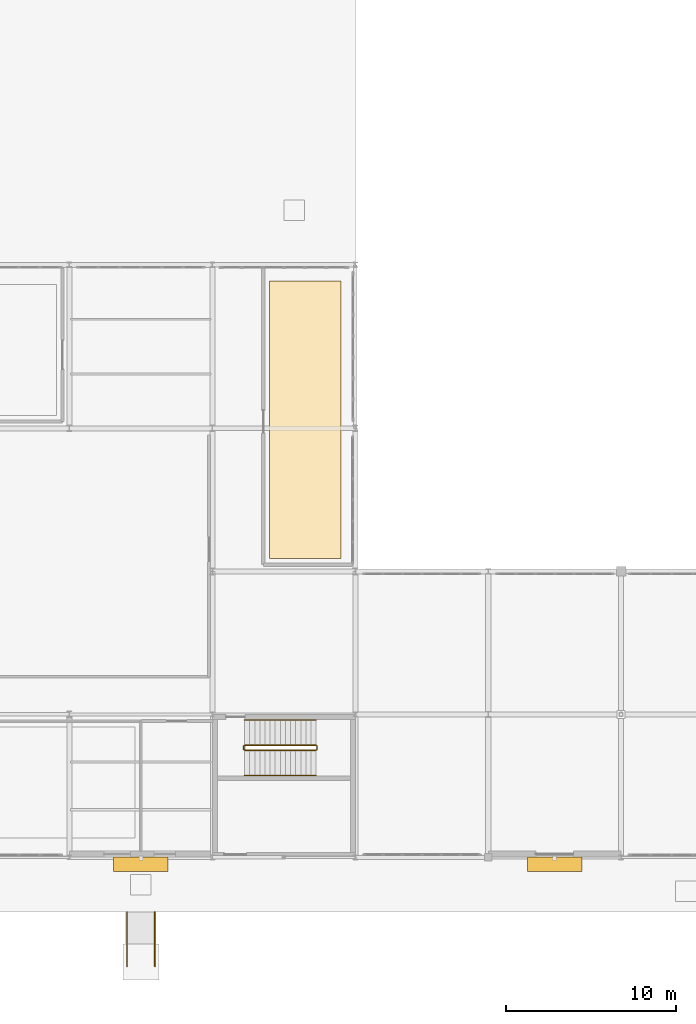
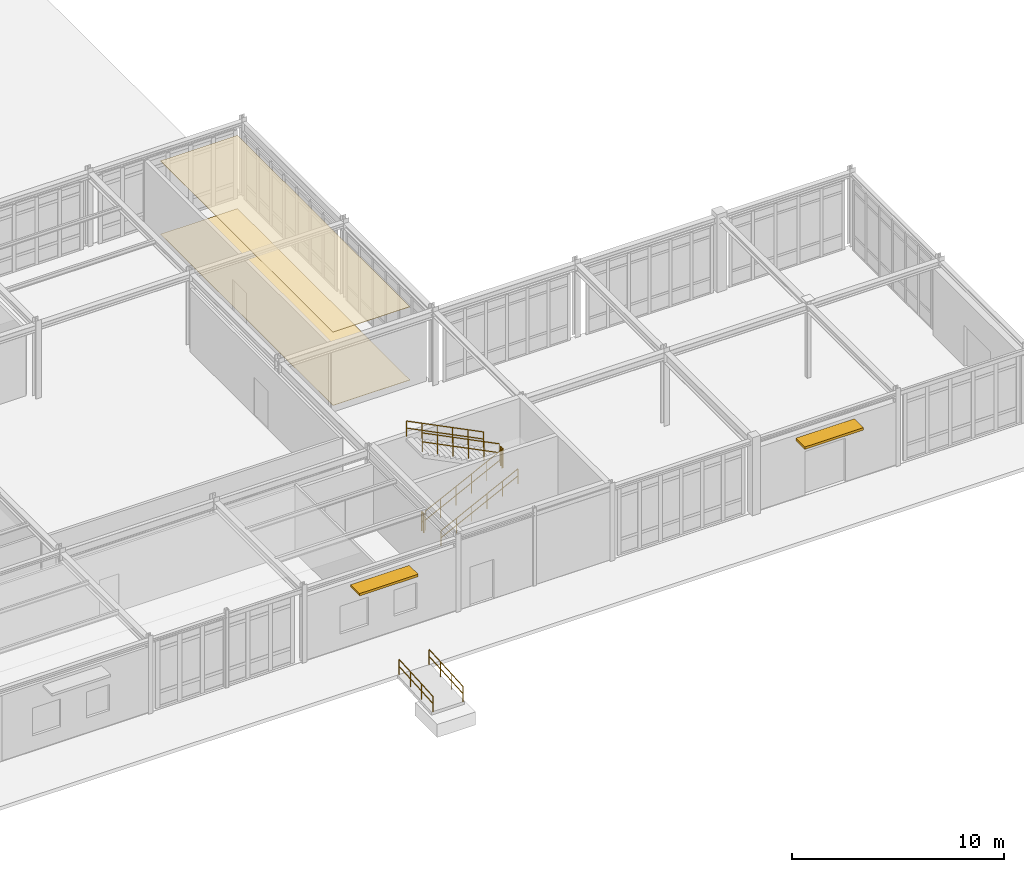
# One storey, part 99 of 101: 8 railings, 2 coverings, 2 shading devices.
"""IFC4 building model written with IfcOpenShell, lengths in metres."""

import ifcopenshell
import ifcopenshell.guid

model = None  # the IFC model being written
_history = None  # IfcOwnerHistory: only IFC2X3 demands one
_inside = {}  # id of a spatial element -> (the spatial element, [elements in it])
_under = {}  # id of a project, library or spatial element -> (it, [spatial elements below it])
_declared = {}  # id of a project -> (the project, [libraries it declares])
_typed = {}  # id of a type object -> (the type object, [elements of that type])
_made_of = {}  # id of a material, layer set ... -> (it, [elements and type objects made of it])


def new_model(schema):
    """Start an empty IFC model of exactly this schema.

    Asked for "IFC4X3", IfcOpenShell would pick the latest addendum, in which some entities
    have other attributes; the version numbers below select the first issue.
    IFC2X3 requires an IfcOwnerHistory on every rooted entity: one is made here for all.
    """
    global model, _history
    if schema == "IFC4X3":
        model = ifcopenshell.file(schema_version=(4, 3, 0, 0))
    else:
        model = ifcopenshell.file(schema=schema)
    _inside.clear()
    _under.clear()
    _declared.clear()
    _typed.clear()
    _made_of.clear()
    _history = None
    if model.schema == "IFC2X3":
        org = make("IfcOrganization", Name="unknown")
        user = make(
            "IfcPersonAndOrganization",
            ThePerson=make("IfcPerson", FamilyName="unknown"),
            TheOrganization=org,
        )
        app = make(
            "IfcApplication",
            ApplicationDeveloper=org,
            Version="unknown",
            ApplicationFullName="unknown",
            ApplicationIdentifier="unknown",
        )
        _history = make(
            "IfcOwnerHistory",
            OwningUser=user,
            OwningApplication=app,
            ChangeAction="ADDED",
            CreationDate=0,
        )
    return model


def make(cls, **values):
    """One entity of the class cls with the attributes given. An attribute that is None is left unset."""
    return model.create_entity(
        cls, **{name: value for name, value in values.items() if value is not None}
    )


def rooted(cls, **values):
    """An entity with a GlobalId (a new one), such as an element, a storey or a relation."""
    return make(cls, GlobalId=ifcopenshell.guid.new(), OwnerHistory=_history, **values)


def si_unit(unit_type, name, prefix=None):
    """IfcSIUnit, for example si_unit("LENGTHUNIT", "METRE", prefix="MILLI")."""
    return make("IfcSIUnit", UnitType=unit_type, Prefix=prefix, Name=name)


def derived_unit(unit_type, elements):
    """IfcDerivedUnit: a product of units, each with its exponent."""
    return make(
        "IfcDerivedUnit",
        Elements=[
            make("IfcDerivedUnitElement", Unit=unit, Exponent=power)
            for unit, power in elements
        ],
        UnitType=unit_type,
    )


def assignment(units):
    """IfcUnitAssignment: the units of a project."""
    return None if units is None else make("IfcUnitAssignment", Units=units)


def point(xyz):
    """IfcCartesianPoint."""
    return None if xyz is None else make("IfcCartesianPoint", Coordinates=xyz)


def direction(xyz):
    """IfcDirection."""
    return None if xyz is None else make("IfcDirection", DirectionRatios=xyz)


def frame(location, z_axis=None, x_axis=None):
    """IfcAxis2Placement3D, a coordinate frame: its origin and axes. An axis left out is left unset."""
    return make(
        "IfcAxis2Placement3D",
        Location=point(location),
        Axis=direction(z_axis),
        RefDirection=direction(x_axis),
    )


def frame_2d(location, x_axis=None):
    """IfcAxis2Placement2D, a coordinate frame in the plane: its origin and x axis."""
    return make(
        "IfcAxis2Placement2D", Location=point(location), RefDirection=direction(x_axis)
    )


def origin():
    """The frame at (0, 0, 0) with its axes left unset."""
    return frame((0.0, 0.0, 0.0))


def origin_2d():
    """The frame at (0, 0) in the plane with its x axis left unset."""
    return frame_2d((0.0, 0.0))


def place(relative_to, where):
    """IfcLocalPlacement: puts the frame where relative to a parent placement (None: the world)."""
    return make(
        "IfcLocalPlacement", PlacementRelTo=relative_to, RelativePlacement=where
    )


def context(
    kind, dimensions, precision=None, world=None, true_north=None, identifier=None
):
    """IfcGeometricRepresentationContext, for example the 3D "Model" context."""
    return make(
        "IfcGeometricRepresentationContext",
        ContextIdentifier=identifier,
        ContextType=kind,
        CoordinateSpaceDimension=dimensions,
        Precision=precision,
        WorldCoordinateSystem=world,
        TrueNorth=true_north,
    )


def subcontext(parent, identifier, kind, view, scale=None):
    """IfcGeometricRepresentationSubContext, for example "Body" below "Model"."""
    return make(
        "IfcGeometricRepresentationSubContext",
        ContextIdentifier=identifier,
        ContextType=kind,
        ParentContext=parent,
        TargetScale=scale,
        TargetView=view,
    )


def project(units=None, contexts=None):
    """IfcProject with its units and contexts."""
    return rooted(
        "IfcProject",
        Name="project",
        RepresentationContexts=contexts,
        UnitsInContext=assignment(units),
    )


def spatial(cls, under=None, at=None, **own):
    """A site, building, storey or space (cls), placed at a placement, below another one or the project."""
    s = rooted(cls, ObjectPlacement=at, **own)
    if under is not None:
        _under.setdefault(under.id(), (under, []))[1].append(s)
    return s


def polyline(points):
    """IfcPolyline through the points."""
    return make("IfcPolyline", Points=[point(p) for p in points])


def profile(cls, at=None, kind="AREA", **sizes):
    """A parametric profile (cls). Its sizes go by their IFC names, for example OverallWidth=200.0."""
    return make(cls, ProfileType=kind, Position=at, **sizes)


def rectangle(**sizes):
    """IfcRectangleProfileDef."""
    return profile("IfcRectangleProfileDef", **sizes)


def circle(**sizes):
    """IfcCircleProfileDef."""
    return profile("IfcCircleProfileDef", **sizes)


def outline(outer, holes=None, kind="AREA"):
    """IfcArbitraryClosedProfileDef: a profile drawn as a closed curve; with holes, ...WithVoids."""
    if holes is None:
        return make("IfcArbitraryClosedProfileDef", ProfileType=kind, OuterCurve=outer)
    return make(
        "IfcArbitraryProfileDefWithVoids",
        ProfileType=kind,
        OuterCurve=outer,
        InnerCurves=holes,
    )


def extrude(swept, where, along, depth):
    """IfcExtrudedAreaSolid: the profile swept, set in the frame where, extruded along a direction by depth."""
    return make(
        "IfcExtrudedAreaSolid",
        SweptArea=swept,
        Position=where,
        ExtrudedDirection=direction(along),
        Depth=depth,
    )


def shape(context_of_items, identifier, shape_type, items):
    """IfcShapeRepresentation: the items that make up one representation, for example the "Body"."""
    return make(
        "IfcShapeRepresentation",
        ContextOfItems=context_of_items,
        RepresentationIdentifier=identifier,
        RepresentationType=shape_type,
        Items=items,
    )


def material(Name=None, Category=None):
    """IfcMaterial."""
    return make("IfcMaterial", Name=Name, Category=Category)


def layer(
    of_material, thickness, ventilated=None, Name=None, Category=None, Priority=None
):
    """IfcMaterialLayer: one layer of a wall or slab, of a material (None: an air gap)."""
    return make(
        "IfcMaterialLayer",
        Material=of_material,
        LayerThickness=thickness,
        IsVentilated=ventilated,
        Name=Name,
        Category=Category,
        Priority=Priority,
    )


def layer_set(layers, Name=None):
    """IfcMaterialLayerSet."""
    return make("IfcMaterialLayerSet", MaterialLayers=layers, LayerSetName=Name)


def made_of(thing, what):
    """Note that an element or type object is made of a material, layer set ...; save() writes the relation."""
    if what is not None:
        _made_of.setdefault(what.id(), (what, []))[1].append(thing)
    return thing


def type_object(cls, material=None, **own):
    """A type object (cls), such as IfcWallType, which elements share."""
    return made_of(rooted(cls, **own), material)


def element(
    cls,
    number,
    at=None,
    inside=None,
    cuts=None,
    type_object=None,
    material=None,
    context=None,
    identifier="Body",
    shape_type=None,
    held_by="IfcProductDefinitionShape",
    body=None,
    shapes=None,
    **own,
):
    """One element of the class cls, such as IfcWall. Its Tag is "e" and its number.

    at: its placement. inside: the storey or other place that contains it. cuts: it is an
    opening in that element (IfcRelVoidsElement). A single representation is given by context,
    identifier, shape_type and body (its items); several are given by shapes. held_by: the class
    of the entity that holds the representations. save() writes the other relations.
    """
    e = rooted(cls, Tag="e%d" % number, ObjectPlacement=at, **own)
    if body is not None:
        shapes = [shape(context, identifier, shape_type, body)]
    if shapes is not None:
        e.Representation = make(held_by, Representations=shapes)
    if inside is not None:
        _inside.setdefault(inside.id(), (inside, []))[1].append(e)
    if cuts is not None:
        rooted(
            "IfcRelVoidsElement", RelatingBuildingElement=cuts, RelatedOpeningElement=e
        )
    if type_object is not None:
        _typed.setdefault(type_object.id(), (type_object, []))[1].append(e)
    return made_of(e, material)


def aggregate(whole, parts):
    """IfcRelAggregates: a whole, such as a stair, and the parts it consists of."""
    return rooted("IfcRelAggregates", RelatingObject=whole, RelatedObjects=parts)


def save(model, path):
    """Write the relations noted so far, then the file.

    IfcRelAggregates (storeys below a building ...), IfcRelContainedInSpatialStructure (elements
    in a storey), IfcRelDefinesByType, IfcRelAssociatesMaterial and IfcRelDeclares: one each for
    every whole, place, type object, material and project.
    """
    for whole, parts in _under.values():
        aggregate(whole, parts)
    for where, things in _inside.values():
        rooted(
            "IfcRelContainedInSpatialStructure",
            RelatedElements=things,
            RelatingStructure=where,
        )
    for kind, things in _typed.values():
        rooted("IfcRelDefinesByType", RelatedObjects=things, RelatingType=kind)
    for what, things in _made_of.values():
        rooted("IfcRelAssociatesMaterial", RelatedObjects=things, RelatingMaterial=what)
    for by, libraries in _declared.values():
        rooted("IfcRelDeclares", RelatingContext=by, RelatedDefinitions=libraries)
    model.write(path)


model = new_model("IFC4")

# Units and contexts
model_context = context("Model", 3, precision=1e-05, world=origin(), true_north=direction((0.0, 1.0)))
body_context = subcontext(model_context, "Body", "Model", "MODEL_VIEW")
ifc_project = project(units=[si_unit("LENGTHUNIT", "METRE"), si_unit("AREAUNIT", "SQUARE_METRE"), si_unit("VOLUMEUNIT", "CUBIC_METRE"), si_unit("PLANEANGLEUNIT", "RADIAN"), si_unit("MASSUNIT", "GRAM", prefix="KILO"), derived_unit("THERMALTRANSMITTANCEUNIT", [(si_unit("POWERUNIT", "WATT"), 1), (si_unit("AREAUNIT", "SQUARE_METRE"), -1), (si_unit("THERMODYNAMICTEMPERATUREUNIT", "KELVIN"), -1)])], contexts=[model_context])

# Site, building, storey
site_placement = place(None, origin())
site = spatial("IfcSite", under=ifc_project, at=site_placement, CompositionType="ELEMENT")
building_placement = place(site_placement, origin())
building = spatial("IfcBuilding", under=site, at=building_placement, Name="Yasenodar Specialist Clinic", CompositionType="ELEMENT")
storey_placement = place(building_placement, origin())
storey = spatial("IfcBuildingStorey", under=building, at=storey_placement, Name="L00", CompositionType="ELEMENT", Elevation=0.0)

# Coverings
ifc_material_1 = material(Name="Hygienic Acoustic Mineral-Fibre Ceiling")
ifc_layer_1 = layer(ifc_material_1, 0.02490234375)
ifc_layer_set_1 = layer_set([ifc_layer_1], Name="Hygienic Acoustic Mineral-Fibre Ceiling")
covering_type_1 = type_object("IfcCoveringType", Name="COV-CEIL-AC", PredefinedType="CEILING", material=ifc_layer_set_1)
covering_1_placement = place(storey_placement, frame((0.0, 0.0, 4.22509765625)))
element("IfcCovering", 1, at=covering_1_placement, inside=storey, type_object=covering_type_1, Name="L00 Pool Filtration Plant Room Acoustic Ceiling", PredefinedType="CEILING", context=body_context, shape_type="SweptSolid", body=[
    extrude(outline(polyline([(137.75, 33.85009765625), (137.75, 17.550048828125), (133.550048828125, 17.550048828125), (133.550048828125, 33.85009765625), (137.75, 33.85009765625)])), origin(), (0.0, 0.0, 1.0), 0.02490234375),
])
ifc_material_2 = material(Name="Seamless Epoxy Terrazzo Clinical Flooring")
ifc_layer_2 = layer(ifc_material_2, 0.02001953125)
ifc_layer_set_2 = layer_set([ifc_layer_2], Name="Seamless Epoxy Terrazzo Clinical Flooring")
covering_type_2 = type_object("IfcCoveringType", Name="COV-FLR-TERR", PredefinedType="FLOORING", material=ifc_layer_set_2)
covering_2_placement = place(storey_placement, origin())
element("IfcCovering", 2, at=covering_2_placement, inside=storey, type_object=covering_type_2, Name="L00 Pool Filtration Plant Room Terrazzo Flooring", PredefinedType="FLOORING", context=body_context, shape_type="SweptSolid", body=[
    extrude(outline(polyline([(137.75, 33.85009765625), (137.75, 17.550048828125), (133.550048828125, 17.550048828125), (133.550048828125, 33.85009765625), (137.75, 33.85009765625)])), origin(), (0.0, 0.0, 1.0), 0.02001953125),
])

# Railings
ifc_material_3 = material(Name="Steel S355 Painted Stair Guardrail", Category="steel")
railing_type_1 = type_object("IfcRailingType", Name="RL-ST-GRD", PredefinedType="GUARDRAIL", material=ifc_material_3)
railing_1_placement = place(storey_placement, frame((132.090087890625, 6.300048828125, 0.14990234375)))
element("IfcRailing", 3, at=railing_1_placement, inside=storey, type_object=railing_type_1, Name="L00 ST-06 stair guard 1", PredefinedType="GUARDRAIL", context=body_context, shape_type="SweptSolid", body=[
    extrude(circle(Radius=0.02392578125, at=origin_2d()), frame((0.0, 0.0, 1.09619140625), z_axis=(0.894416792377, 0.0, 0.447234392142), x_axis=(0.0, 1.0, 0.0)), (0.0, 0.0, 1.0), 4.69580078125),
    extrude(circle(Radius=0.02392578125, at=origin_2d()), frame((0.0, 0.0, 0.58251953125), z_axis=(0.894416792377, 0.0, 0.447234392142), x_axis=(0.0, 1.0, 0.0)), (0.0, 0.0, 1.0), 4.69580078125),
    extrude(circle(Radius=0.02099609375, at=origin_2d()), origin(), (0.0, 0.0, 1.0), 1.072021484375),
    extrude(circle(Radius=0.02099609375, at=origin_2d()), frame((0.840087890625, 0.0, 0.419921875)), (0.0, 0.0, 1.0), 1.072021484375),
    extrude(circle(Radius=0.02099609375, at=origin_2d()), frame((1.679931640625, 0.0, 0.840087890625)), (0.0, 0.0, 1.0), 1.072021484375),
    extrude(circle(Radius=0.02099609375, at=origin_2d()), frame((2.52001953125, 0.0, 1.260009765625)), (0.0, 0.0, 1.0), 1.072021484375),
    extrude(circle(Radius=0.02099609375, at=origin_2d()), frame((3.35986328125, 0.0, 1.68017578125)), (0.0, 0.0, 1.0), 1.072021484375),
    extrude(circle(Radius=0.02099609375, at=origin_2d()), frame((4.199951171875, 0.0, 2.10009765625)), (0.0, 0.0, 1.0), 1.072021484375),
])
railing_2_placement = place(storey_placement, frame((136.340087890625, 6.35009765625, 2.25)))
element("IfcRailing", 4, at=railing_2_placement, inside=storey, type_object=railing_type_1, Name="L00 ST-06 stair guard 2", PredefinedType="GUARDRAIL", context=body_context, shape_type="SweptSolid", body=[
    extrude(circle(Radius=0.02392578125, at=origin_2d()), frame((0.0, 0.0, 1.09619140625), z_axis=(0.0, 1.0, 0.0), x_axis=(-1.0, 0.0, 0.0)), (0.0, 0.0, 1.0), 0.179931640625),
    extrude(circle(Radius=0.02392578125, at=origin_2d()), frame((0.0, 0.0, 0.58251953125), z_axis=(0.0, 1.0, 0.0), x_axis=(-1.0, 0.0, 0.0)), (0.0, 0.0, 1.0), 0.179931640625),
    extrude(circle(Radius=0.02099609375, at=origin_2d()), origin(), (0.0, 0.0, 1.0), 1.072021484375),
    extrude(circle(Radius=0.02099609375, at=origin_2d()), frame((0.0, 0.179931640625, 0.0)), (0.0, 0.0, 1.0), 1.072021484375),
])
railing_3_placement = place(storey_placement, frame((136.2900390625, 6.580078125, 2.39990234375)))
element("IfcRailing", 5, at=railing_3_placement, inside=storey, type_object=railing_type_1, Name="L00 ST-06 stair guard 3", PredefinedType="GUARDRAIL", context=body_context, shape_type="SweptSolid", body=[
    extrude(circle(Radius=0.02392578125, at=origin_2d()), frame((0.0, 0.0, 1.09619140625), z_axis=(-0.894416792377, 0.0, 0.447234392142), x_axis=(0.0, -1.0, 0.0)), (0.0, 0.0, 1.0), 4.69580078125),
    extrude(circle(Radius=0.02392578125, at=origin_2d()), frame((0.0, 0.0, 0.58251953125), z_axis=(-0.894416792377, 0.0, 0.447234392142), x_axis=(0.0, -1.0, 0.0)), (0.0, 0.0, 1.0), 4.69580078125),
    extrude(circle(Radius=0.02099609375, at=origin_2d()), origin(), (0.0, 0.0, 1.0), 1.072021484375),
    extrude(circle(Radius=0.02099609375, at=origin_2d()), frame((-0.840087890625, 0.0, 0.419921875)), (0.0, 0.0, 1.0), 1.072021484375),
    extrude(circle(Radius=0.02099609375, at=origin_2d()), frame((-1.679931640625, 0.0, 0.840087890625)), (0.0, 0.0, 1.0), 1.072021484375),
    extrude(circle(Radius=0.02099609375, at=origin_2d()), frame((-2.52001953125, 0.0, 1.260009765625)), (0.0, 0.0, 1.0), 1.072021484375),
    extrude(circle(Radius=0.02099609375, at=origin_2d()), frame((-3.35986328125, 0.0, 1.68017578125)), (0.0, 0.0, 1.0), 1.072021484375),
    extrude(circle(Radius=0.02099609375, at=origin_2d()), frame((-4.199951171875, 0.0, 2.10009765625)), (0.0, 0.0, 1.0), 1.072021484375),
])
railing_4_placement = place(storey_placement, frame((132.0400390625, 6.35009765625, 0.0)))
element("IfcRailing", 6, at=railing_4_placement, inside=storey, type_object=railing_type_1, Name="L00 ST-06 stair guard 4", PredefinedType="GUARDRAIL", context=body_context, shape_type="SweptSolid", body=[
    extrude(circle(Radius=0.02392578125, at=origin_2d()), frame((0.0, 0.0, 1.09619140625), z_axis=(0.0, 1.0, 0.0), x_axis=(-1.0, 0.0, 0.0)), (0.0, 0.0, 1.0), 0.179931640625),
    extrude(circle(Radius=0.02392578125, at=origin_2d()), frame((0.0, 0.0, 0.58251953125), z_axis=(0.0, 1.0, 0.0), x_axis=(-1.0, 0.0, 0.0)), (0.0, 0.0, 1.0), 0.179931640625),
    extrude(circle(Radius=0.02099609375, at=origin_2d()), origin(), (0.0, 0.0, 1.0), 1.072021484375),
    extrude(circle(Radius=0.02099609375, at=origin_2d()), frame((0.0, 0.179931640625, 0.0)), (0.0, 0.0, 1.0), 1.072021484375),
])
ifc_material_4 = material(Name="Brushed Stainless Steel Handrail", Category="steel")
railing_type_2 = type_object("IfcRailingType", Name="RL-ST-HND", PredefinedType="HANDRAIL", material=ifc_material_4)
railing_5_placement = place(storey_placement, frame((132.090087890625, 4.81005859375, 0.14990234375)))
element("IfcRailing", 7, at=railing_5_placement, inside=storey, type_object=railing_type_2, Name="L00 ST-06 stair handrail 1", PredefinedType="HANDRAIL", context=body_context, shape_type="SweptSolid", body=[
    extrude(circle(Radius=0.02392578125, at=origin_2d()), frame((0.0, 0.0, 0.8759765625), z_axis=(0.894416792377, 0.0, 0.447234392142), x_axis=(0.0, 1.0, 0.0)), (0.0, 0.0, 1.0), 4.69580078125),
    extrude(circle(Radius=0.02392578125, at=origin_2d()), frame((0.0, 0.0, 0.468017578125), z_axis=(0.894416792377, 0.0, 0.447234392142), x_axis=(0.0, 1.0, 0.0)), (0.0, 0.0, 1.0), 4.69580078125),
    extrude(circle(Radius=0.02099609375, at=origin_2d()), origin(), (0.0, 0.0, 1.0), 0.851806640625),
    extrude(circle(Radius=0.02099609375, at=origin_2d()), frame((0.840087890625, 0.0, 0.419921875)), (0.0, 0.0, 1.0), 0.851806640625),
    extrude(circle(Radius=0.02099609375, at=origin_2d()), frame((1.679931640625, 0.0, 0.840087890625)), (0.0, 0.0, 1.0), 0.851806640625),
    extrude(circle(Radius=0.02099609375, at=origin_2d()), frame((2.52001953125, 0.0, 1.260009765625)), (0.0, 0.0, 1.0), 0.851806640625),
    extrude(circle(Radius=0.02099609375, at=origin_2d()), frame((3.35986328125, 0.0, 1.68017578125)), (0.0, 0.0, 1.0), 0.851806640625),
    extrude(circle(Radius=0.02099609375, at=origin_2d()), frame((4.199951171875, 0.0, 2.10009765625)), (0.0, 0.0, 1.0), 0.851806640625),
])
railing_6_placement = place(storey_placement, frame((136.2900390625, 8.070068359375, 2.39990234375)))
element("IfcRailing", 8, at=railing_6_placement, inside=storey, type_object=railing_type_2, Name="L00 ST-06 stair handrail 2", PredefinedType="HANDRAIL", context=body_context, shape_type="SweptSolid", body=[
    extrude(circle(Radius=0.02392578125, at=origin_2d()), frame((0.0, 0.0, 0.8759765625), z_axis=(-0.894416792377, 0.0, 0.447234392142), x_axis=(0.0, -1.0, 0.0)), (0.0, 0.0, 1.0), 4.69580078125),
    extrude(circle(Radius=0.02392578125, at=origin_2d()), frame((0.0, 0.0, 0.468017578125), z_axis=(-0.894416792377, 0.0, 0.447234392142), x_axis=(0.0, -1.0, 0.0)), (0.0, 0.0, 1.0), 4.69580078125),
    extrude(circle(Radius=0.02099609375, at=origin_2d()), origin(), (0.0, 0.0, 1.0), 0.851806640625),
    extrude(circle(Radius=0.02099609375, at=origin_2d()), frame((-0.840087890625, 0.0, 0.419921875)), (0.0, 0.0, 1.0), 0.851806640625),
    extrude(circle(Radius=0.02099609375, at=origin_2d()), frame((-1.679931640625, 0.0, 0.840087890625)), (0.0, 0.0, 1.0), 0.851806640625),
    extrude(circle(Radius=0.02099609375, at=origin_2d()), frame((-2.52001953125, 0.0, 1.260009765625)), (0.0, 0.0, 1.0), 0.851806640625),
    extrude(circle(Radius=0.02099609375, at=origin_2d()), frame((-3.35986328125, 0.0, 1.68017578125)), (0.0, 0.0, 1.0), 0.851806640625),
    extrude(circle(Radius=0.02099609375, at=origin_2d()), frame((-4.199951171875, 0.0, 2.10009765625)), (0.0, 0.0, 1.0), 0.851806640625),
])
for number, where, name in (
    (9, (125.179931640625, -6.39990234375, -0.199951171875), "Conservatory Garden Accessible Ramp Handrail L"),
    (10, (126.820068359375, -6.39990234375, -0.199951171875), "Conservatory Garden Accessible Ramp Handrail R"),
):
    element("IfcRailing", number, at=place(storey_placement, frame(where)), inside=storey, type_object=railing_type_2, Name=name, PredefinedType="HANDRAIL", context=body_context, shape_type="SweptSolid", body=[
        extrude(circle(Radius=0.02392578125, at=origin_2d()), frame((0.0, 0.0, 0.8759765625), z_axis=(0.0, 0.998053467252, 0.062364064216), x_axis=(-1.0, 0.0, 0.0)), (0.0, 0.0, 1.0), 3.206298828125),
        extrude(circle(Radius=0.02392578125, at=origin_2d()), frame((0.0, 0.0, 0.468017578125), z_axis=(0.0, 0.998053467252, 0.062364064216), x_axis=(-1.0, 0.0, 0.0)), (0.0, 0.0, 1.0), 3.206298828125),
        extrude(circle(Radius=0.02099609375, at=origin_2d()), origin(), (0.0, 0.0, 1.0), 0.851806640625),
        extrude(circle(Radius=0.02099609375, at=origin_2d()), frame((0.0, 1.066650390625, 0.066650390625)), (0.0, 0.0, 1.0), 0.851806640625),
        extrude(circle(Radius=0.02099609375, at=origin_2d()), frame((0.0, 2.13330078125, 0.13330078125)), (0.0, 0.0, 1.0), 0.851806640625),
        extrude(circle(Radius=0.02099609375, at=origin_2d()), frame((0.0, 3.199951171875, 0.199951171875)), (0.0, 0.0, 1.0), 0.851806640625),
    ])

# Shading devices
ifc_material_5 = material(Name="Bronze Anodized Aluminium Chhajja Sunshade", Category="aluminium")
shading_device_type = type_object("IfcShadingDeviceType", Name="SHD-CHHAJJA-850", PredefinedType="JALOUSIE", material=ifc_material_5)
for number, where, z_axis, x_axis, name in (
    (11, (150.300048828125, -0.389892578125, 3.30810546875), (0.0, 0.0, 1.0), (-1.0, 0.0, 0.0), "L00 Chhajja Solar Overhang 445"),
    (12, (126.0, -0.389892578125, 3.35791015625), (0.0, 0.0, 1.0), (-1.0, 0.0, 0.0), "L00 Chhajja Solar Overhang 446"),
):
    element("IfcShadingDevice", number, at=place(storey_placement, frame(where, z_axis=z_axis, x_axis=x_axis)), inside=storey, type_object=shading_device_type, Name=name, PredefinedType="JALOUSIE", context=body_context, shape_type="SweptSolid", body=[
        extrude(rectangle(XDim=3.199951171875, YDim=0.85009765625, at=origin_2d()), origin(), (0.0, 0.0, 1.0), 0.139892578125),
    ])

save(model, "model.ifc")
